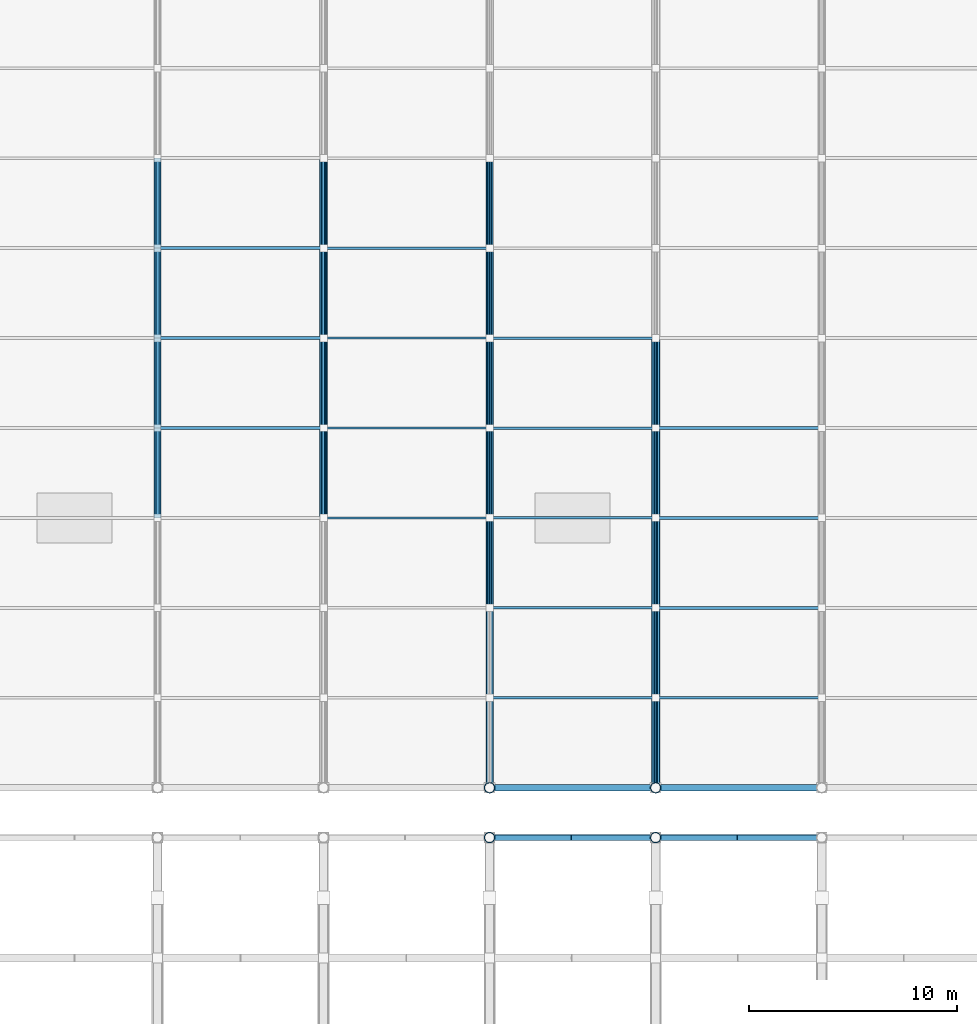
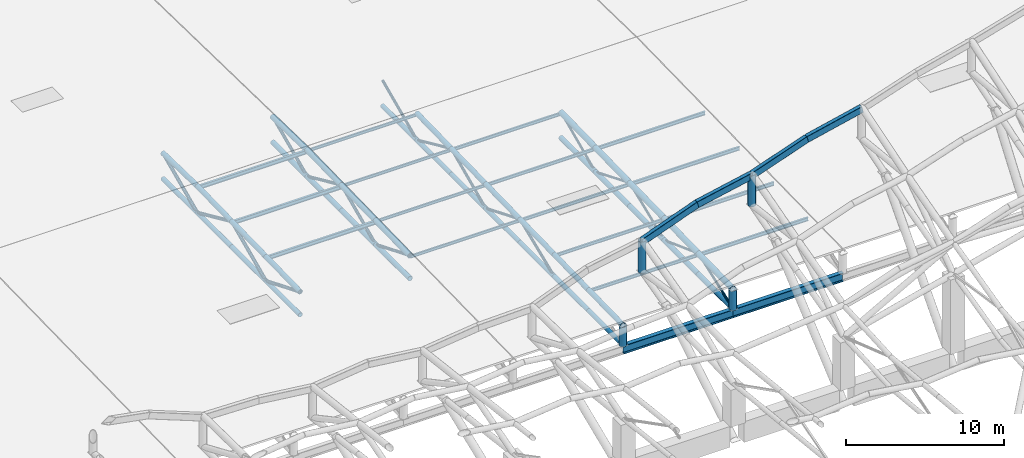
# One storey, part 20 of 75: 77 members, 6 beams.
"""IFC4 building model written with IfcOpenShell, lengths in metres."""

from ifc_helpers import new_model, si_unit, direction, frame, origin, origin_2d, place, context, subcontext, project, spatial, hollow_rectangle, hollow_circle, i_section, extrude, material, material_profile, profile_set, type_object, element, save


model = new_model("IFC4")

# Units and contexts
model_context = context("Model", 3, precision=1e-05, world=origin(), true_north=direction((0.0, 1.0)))
body_context = subcontext(model_context, "Body", "Model", "MODEL_VIEW")
ifc_project = project(units=[si_unit("LENGTHUNIT", "METRE"), si_unit("AREAUNIT", "SQUARE_METRE"), si_unit("VOLUMEUNIT", "CUBIC_METRE"), si_unit("PLANEANGLEUNIT", "RADIAN"), si_unit("MASSUNIT", "GRAM", prefix="KILO")], contexts=[model_context])

# Site, building, storey
site_placement = place(None, origin())
site = spatial("IfcSite", under=ifc_project, at=site_placement, CompositionType="ELEMENT")
building_placement = place(site_placement, origin())
building = spatial("IfcBuilding", under=site, at=building_placement, Name="Khorjan Park Terminus", CompositionType="ELEMENT")
storey_placement = place(building_placement, frame((0.0, 0.0, 16.2)))
storey = spatial("IfcBuildingStorey", under=building, at=storey_placement, Name="L03", CompositionType="ELEMENT", Elevation=16.2)

# Members
ifc_material = material(Name="Steel S355", Category="steel")
ifc_material_profile_1 = material_profile(ifc_material, hollow_circle(Radius=0.0842, WallThickness=0.008, at=origin_2d()), Name="CHS 168.3x8")
ifc_profile_set_1 = profile_set([ifc_material_profile_1], Name="Steel S355")
member_type_1 = type_object("IfcMemberType", Name="MB-BR-168", PredefinedType="BRACE", material=ifc_profile_set_1)
member_1_placement = place(storey_placement, frame((120.0, 102.0, -2.6), z_axis=(0.0, 0.938678487602, 0.344793701963), x_axis=(-1.0, 0.0, 0.0)))
element("IfcMember", 1, at=member_1_placement, inside=storey, type_object=member_type_1, Name="Train shed flat truss web diagonal TB-17 (T15)", PredefinedType="BRACE", context=body_context, shape_type="SweptSolid", body=[
    extrude(hollow_circle(Radius=0.0842, WallThickness=0.008, at=origin_2d()), origin(), (0.0, 0.0, 1.0), 4.6164),
])
member_2_placement = place(storey_placement, frame((120.0, 106.3333, -1.0083), z_axis=(0.0, 0.938681062758, -0.344786691187), x_axis=(-1.0, 0.0, 0.0)))
element("IfcMember", 2, at=member_2_placement, inside=storey, type_object=member_type_1, Name="Train shed flat truss web diagonal TB-17 (T15)", PredefinedType="BRACE", context=body_context, shape_type="SweptSolid", body=[
    extrude(hollow_circle(Radius=0.0842, WallThickness=0.008, at=origin_2d()), origin(), (0.0, 0.0, 1.0), 4.6165),
])
for number, where, z_axis, x_axis, name in (
    (3, (120.0, 110.6667, -2.6), (0.0, 0.92537575721, 0.379051062481), (-1.0, 0.0, 0.0), "Train shed flat truss web diagonal TB-17 (T15)"),
    (4, (120.0, 115.0, -0.825), (0.0, 0.92537575721, -0.379051062481), (-1.0, 0.0, 0.0), "Train shed flat truss web diagonal TB-17 (T15)"),
):
    element("IfcMember", number, at=place(storey_placement, frame(where, z_axis=z_axis, x_axis=x_axis)), inside=storey, type_object=member_type_1, Name=name, PredefinedType="BRACE", context=body_context, shape_type="SweptSolid", body=[
        extrude(hollow_circle(Radius=0.0842, WallThickness=0.008, at=origin_2d()), origin(), (0.0, 0.0, 1.0), 4.6827),
    ])
member_3_placement = place(storey_placement, frame((120.0, 119.3333, -2.6), z_axis=(0.0, 0.911269553162, 0.411810395061), x_axis=(-1.0, 0.0, 0.0)))
element("IfcMember", 5, at=member_3_placement, inside=storey, type_object=member_type_1, Name="Train shed flat truss web diagonal TB-17 (T15)", PredefinedType="BRACE", context=body_context, shape_type="SweptSolid", body=[
    extrude(hollow_circle(Radius=0.0842, WallThickness=0.008, at=origin_2d()), origin(), (0.0, 0.0, 1.0), 4.7553),
])
ifc_material_profile_2 = material_profile(ifc_material, hollow_circle(Radius=0.0969, WallThickness=0.01, at=origin_2d()), Name="CHS 193.7x10")
ifc_profile_set_2 = profile_set([ifc_material_profile_2], Name="Steel S355")
member_type_2 = type_object("IfcMemberType", Name="MB-BR-194", PredefinedType="BRACE", material=ifc_profile_set_2)
for number, where, z_axis, x_axis, name in (
    (6, (112.0, 110.6667, -2.6), (0.0, 0.92537575721, 0.379051062481), (-1.0, 0.0, 0.0), "Train shed flat truss web diagonal TB-19 (T14)"),
    (7, (112.0, 115.0, -0.825), (0.0, 0.92537575721, -0.379051062481), (-1.0, 0.0, 0.0), "Train shed flat truss web diagonal TB-19 (T14)"),
):
    element("IfcMember", number, at=place(storey_placement, frame(where, z_axis=z_axis, x_axis=x_axis)), inside=storey, type_object=member_type_2, Name=name, PredefinedType="BRACE", context=body_context, shape_type="SweptSolid", body=[
        extrude(hollow_circle(Radius=0.0969, WallThickness=0.01, at=origin_2d()), origin(), (0.0, 0.0, 1.0), 4.6827),
    ])
for number, where, z_axis, x_axis, name in (
    (8, (112.0, 119.3333, -2.6), (0.0, 0.911269553162, 0.411810395061), (-1.0, 0.0, 0.0), "Train shed flat truss web diagonal TB-19 (T14)"),
    (9, (112.0, 123.6667, -0.6417), (0.0, 0.911265986802, -0.411818286745), (-1.0, 0.0, 0.0), "Train shed flat truss web diagonal TB-19 (T14)"),
    (10, (112.0, 128.0, -2.6), (0.0, 0.911265986802, 0.411818286745), (-1.0, 0.0, 0.0), "Train shed flat truss web diagonal TB-19 (T14)"),
):
    element("IfcMember", number, at=place(storey_placement, frame(where, z_axis=z_axis, x_axis=x_axis)), inside=storey, type_object=member_type_2, Name=name, PredefinedType="BRACE", context=body_context, shape_type="SweptSolid", body=[
        extrude(hollow_circle(Radius=0.0969, WallThickness=0.01, at=origin_2d()), origin(), (0.0, 0.0, 1.0), 4.7553),
    ])
ifc_material_profile_3 = material_profile(ifc_material, hollow_circle(Radius=0.1095, WallThickness=0.01, at=origin_2d()), Name="CHS 219.1x10")
ifc_profile_set_3 = profile_set([ifc_material_profile_3], Name="Steel S355")
member_type_3 = type_object("IfcMemberType", Name="MB-BR-219", PredefinedType="BRACE", material=ifc_profile_set_3)
member_4_placement = place(storey_placement, frame((104.0, 115.0, -0.825), z_axis=(0.0, 0.92537575721, -0.379051062481), x_axis=(-1.0, 0.0, 0.0)))
element("IfcMember", 11, at=member_4_placement, inside=storey, type_object=member_type_3, Name="Train shed flat truss web diagonal TB-22 (T13)", PredefinedType="BRACE", context=body_context, shape_type="SweptSolid", body=[
    extrude(hollow_circle(Radius=0.1095, WallThickness=0.01, at=origin_2d()), origin(), (0.0, 0.0, 1.0), 4.6827),
])
for number, where, z_axis, x_axis, name in (
    (12, (104.0, 119.3333, -2.6), (0.0, 0.911269553162, 0.411810395061), (-1.0, 0.0, 0.0), "Train shed flat truss web diagonal TB-22 (T13)"),
    (13, (104.0, 123.6667, -0.6417), (0.0, 0.911265986802, -0.411818286745), (-1.0, 0.0, 0.0), "Train shed flat truss web diagonal TB-22 (T13)"),
    (14, (104.0, 128.0, -2.6), (0.0, 0.911265986802, 0.411818286745), (-1.0, 0.0, 0.0), "Train shed flat truss web diagonal TB-22 (T13)"),
):
    element("IfcMember", number, at=place(storey_placement, frame(where, z_axis=z_axis, x_axis=x_axis)), inside=storey, type_object=member_type_3, Name=name, PredefinedType="BRACE", context=body_context, shape_type="SweptSolid", body=[
        extrude(hollow_circle(Radius=0.1095, WallThickness=0.01, at=origin_2d()), origin(), (0.0, 0.0, 1.0), 4.7553),
    ])
ifc_material_profile_4 = material_profile(ifc_material, hollow_circle(Radius=0.1222, WallThickness=0.0125, at=origin_2d()), Name="CHS 244.5x12.5")
ifc_profile_set_4 = profile_set([ifc_material_profile_4], Name="Steel S355")
member_type_4 = type_object("IfcMemberType", Name="MB-BR-245", PredefinedType="BRACE", material=ifc_profile_set_4)
member_5_placement = place(storey_placement, frame((96.0, 115.0, -0.825), z_axis=(0.0, 0.92537575721, -0.379051062481), x_axis=(-1.0, 0.0, 0.0)))
element("IfcMember", 15, at=member_5_placement, inside=storey, type_object=member_type_4, Name="Train shed flat truss web diagonal TB-24 (T12)", PredefinedType="BRACE", context=body_context, shape_type="SweptSolid", body=[
    extrude(hollow_circle(Radius=0.1222, WallThickness=0.0125, at=origin_2d()), origin(), (0.0, 0.0, 1.0), 4.6827),
])
for number, where, z_axis, x_axis, name in (
    (16, (96.0, 119.3333, -2.6), (0.0, 0.911269553162, 0.411810395061), (-1.0, 0.0, 0.0), "Train shed flat truss web diagonal TB-24 (T12)"),
    (17, (96.0, 123.6667, -0.6417), (0.0, 0.911265986802, -0.411818286745), (-1.0, 0.0, 0.0), "Train shed flat truss web diagonal TB-24 (T12)"),
    (18, (96.0, 128.0, -2.6), (0.0, 0.911265986802, 0.411818286745), (-1.0, 0.0, 0.0), "Train shed flat truss web diagonal TB-24 (T12)"),
):
    element("IfcMember", number, at=place(storey_placement, frame(where, z_axis=z_axis, x_axis=x_axis)), inside=storey, type_object=member_type_4, Name=name, PredefinedType="BRACE", context=body_context, shape_type="SweptSolid", body=[
        extrude(hollow_circle(Radius=0.1222, WallThickness=0.0125, at=origin_2d()), origin(), (0.0, 0.0, 1.0), 4.7553),
    ])
ifc_material_profile_5 = material_profile(ifc_material, hollow_circle(Radius=0.162, WallThickness=0.0125, at=origin_2d()), Name="CHS 323.9x12.5")
ifc_profile_set_5 = profile_set([ifc_material_profile_5], Name="Steel S355")
member_type_5 = type_object("IfcMemberType", Name="MB-CH-324", PredefinedType="CHORD", material=ifc_profile_set_5)
member_6_placement = place(storey_placement, frame((96.0, 115.0, -2.6), z_axis=(0.0, 1.0, 0.0), x_axis=(-1.0, 0.0, 0.0)))
element("IfcMember", 19, at=member_6_placement, inside=storey, type_object=member_type_5, Name="Train shed flat truss bottom chord TC-32 (T12)", PredefinedType="CHORD", context=body_context, shape_type="SweptSolid", body=[
    extrude(hollow_circle(Radius=0.162, WallThickness=0.0125, at=origin_2d()), origin(), (0.0, 0.0, 1.0), 4.3333),
])
member_7_placement = place(storey_placement, frame((96.0, 119.3333, -2.6), z_axis=(0.0, 1.0, 0.0), x_axis=(-1.0, 0.0, 0.0)))
element("IfcMember", 20, at=member_7_placement, inside=storey, type_object=member_type_5, Name="Train shed flat truss bottom chord TC-32 (T12)", PredefinedType="CHORD", context=body_context, shape_type="SweptSolid", body=[
    extrude(hollow_circle(Radius=0.162, WallThickness=0.0125, at=origin_2d()), origin(), (0.0, 0.0, 1.0), 4.3334),
])
for number, where, z_axis, x_axis, name in (
    (21, (96.0, 123.6667, -2.6), (0.0, 1.0, 0.0), (-1.0, 0.0, 0.0), "Train shed flat truss bottom chord TC-32 (T12)"),
    (22, (96.0, 128.0, -2.6), (0.0, 1.0, 0.0), (-1.0, 0.0, 0.0), "Train shed flat truss bottom chord TC-32 (T12)"),
    (23, (112.0, 102.0, -2.6), (0.0, 1.0, 0.0), (-1.0, 0.0, 0.0), "Train shed flat truss bottom chord TC-32 (T14)"),
):
    element("IfcMember", number, at=place(storey_placement, frame(where, z_axis=z_axis, x_axis=x_axis)), inside=storey, type_object=member_type_5, Name=name, PredefinedType="CHORD", context=body_context, shape_type="SweptSolid", body=[
        extrude(hollow_circle(Radius=0.162, WallThickness=0.0125, at=origin_2d()), origin(), (0.0, 0.0, 1.0), 4.3333),
    ])
member_8_placement = place(storey_placement, frame((112.0, 106.3333, -2.6), z_axis=(0.0, 1.0, 0.0), x_axis=(-1.0, 0.0, 0.0)))
element("IfcMember", 24, at=member_8_placement, inside=storey, type_object=member_type_5, Name="Train shed flat truss bottom chord TC-32 (T14)", PredefinedType="CHORD", context=body_context, shape_type="SweptSolid", body=[
    extrude(hollow_circle(Radius=0.162, WallThickness=0.0125, at=origin_2d()), origin(), (0.0, 0.0, 1.0), 4.3334),
])
for number, where, z_axis, x_axis, name in (
    (25, (112.0, 110.6667, -2.6), (0.0, 1.0, 0.0), (-1.0, 0.0, 0.0), "Train shed flat truss bottom chord TC-32 (T14)"),
    (26, (112.0, 115.0, -2.6), (0.0, 1.0, 0.0), (-1.0, 0.0, 0.0), "Train shed flat truss bottom chord TC-32 (T14)"),
):
    element("IfcMember", number, at=place(storey_placement, frame(where, z_axis=z_axis, x_axis=x_axis)), inside=storey, type_object=member_type_5, Name=name, PredefinedType="CHORD", context=body_context, shape_type="SweptSolid", body=[
        extrude(hollow_circle(Radius=0.162, WallThickness=0.0125, at=origin_2d()), origin(), (0.0, 0.0, 1.0), 4.3333),
    ])
member_9_placement = place(storey_placement, frame((112.0, 119.3333, -2.6), z_axis=(0.0, 1.0, 0.0), x_axis=(-1.0, 0.0, 0.0)))
element("IfcMember", 27, at=member_9_placement, inside=storey, type_object=member_type_5, Name="Train shed flat truss bottom chord TC-32 (T14)", PredefinedType="CHORD", context=body_context, shape_type="SweptSolid", body=[
    extrude(hollow_circle(Radius=0.162, WallThickness=0.0125, at=origin_2d()), origin(), (0.0, 0.0, 1.0), 4.3334),
])
for number, where, z_axis, x_axis, name in (
    (28, (112.0, 123.6667, -2.6), (0.0, 1.0, 0.0), (-1.0, 0.0, 0.0), "Train shed flat truss bottom chord TC-32 (T14)"),
    (29, (112.0, 128.0, -2.6), (0.0, 1.0, 0.0), (-1.0, 0.0, 0.0), "Train shed flat truss bottom chord TC-32 (T14)"),
):
    element("IfcMember", number, at=place(storey_placement, frame(where, z_axis=z_axis, x_axis=x_axis)), inside=storey, type_object=member_type_5, Name=name, PredefinedType="CHORD", context=body_context, shape_type="SweptSolid", body=[
        extrude(hollow_circle(Radius=0.162, WallThickness=0.0125, at=origin_2d()), origin(), (0.0, 0.0, 1.0), 4.3333),
    ])
ifc_material_profile_6 = material_profile(ifc_material, hollow_circle(Radius=0.1778, WallThickness=0.016, at=origin_2d()), Name="CHS 355.6x16")
ifc_profile_set_6 = profile_set([ifc_material_profile_6], Name="Steel S355")
member_type_6 = type_object("IfcMemberType", Name="MB-CH-356", PredefinedType="CHORD", material=ifc_profile_set_6)
member_10_placement = place(storey_placement, frame((96.0, 115.0, -0.825), z_axis=(0.0, 0.999776166375, 0.021156964544), x_axis=(-1.0, 0.0, 0.0)))
element("IfcMember", 30, at=member_10_placement, inside=storey, type_object=member_type_6, Name="Train shed flat truss top chord TC-36 (T12)", PredefinedType="CHORD", context=body_context, shape_type="SweptSolid", body=[
    extrude(hollow_circle(Radius=0.1778, WallThickness=0.016, at=origin_2d()), origin(), (0.0, 0.0, 1.0), 4.3343),
])
member_11_placement = place(storey_placement, frame((96.0, 119.3333, -0.7333), z_axis=(0.0, 0.999776664437, 0.021133415439), x_axis=(-1.0, 0.0, 0.0)))
element("IfcMember", 31, at=member_11_placement, inside=storey, type_object=member_type_6, Name="Train shed flat truss top chord TC-36 (T12)", PredefinedType="CHORD", context=body_context, shape_type="SweptSolid", body=[
    extrude(hollow_circle(Radius=0.1778, WallThickness=0.016, at=origin_2d()), origin(), (0.0, 0.0, 1.0), 4.3344),
])
for number, where, z_axis, x_axis, name in (
    (32, (96.0, 123.6667, -0.6417), (0.0, 0.999776166375, 0.021156964544), (-1.0, 0.0, 0.0), "Train shed flat truss top chord TC-36 (T12)"),
    (33, (96.0, 128.0, -0.55), (0.0, 0.999776166375, -0.021156964544), (-1.0, 0.0, 0.0), "Train shed flat truss top chord TC-36 (T12)"),
):
    element("IfcMember", number, at=place(storey_placement, frame(where, z_axis=z_axis, x_axis=x_axis)), inside=storey, type_object=member_type_6, Name=name, PredefinedType="CHORD", context=body_context, shape_type="SweptSolid", body=[
        extrude(hollow_circle(Radius=0.1778, WallThickness=0.016, at=origin_2d()), origin(), (0.0, 0.0, 1.0), 4.3343),
    ])
member_12_placement = place(storey_placement, frame((104.0, 115.0, -2.6), z_axis=(0.0, 1.0, 0.0), x_axis=(-1.0, 0.0, 0.0)))
element("IfcMember", 34, at=member_12_placement, inside=storey, type_object=member_type_6, Name="Train shed flat truss bottom chord TC-36 (T13)", PredefinedType="CHORD", context=body_context, shape_type="SweptSolid", body=[
    extrude(hollow_circle(Radius=0.1778, WallThickness=0.016, at=origin_2d()), origin(), (0.0, 0.0, 1.0), 4.3333),
])
member_13_placement = place(storey_placement, frame((104.0, 119.3333, -2.6), z_axis=(0.0, 1.0, 0.0), x_axis=(-1.0, 0.0, 0.0)))
element("IfcMember", 35, at=member_13_placement, inside=storey, type_object=member_type_6, Name="Train shed flat truss bottom chord TC-36 (T13)", PredefinedType="CHORD", context=body_context, shape_type="SweptSolid", body=[
    extrude(hollow_circle(Radius=0.1778, WallThickness=0.016, at=origin_2d()), origin(), (0.0, 0.0, 1.0), 4.3334),
])
for number, where, z_axis, x_axis, name in (
    (36, (104.0, 123.6667, -2.6), (0.0, 1.0, 0.0), (-1.0, 0.0, 0.0), "Train shed flat truss bottom chord TC-36 (T13)"),
    (37, (104.0, 128.0, -2.6), (0.0, 1.0, 0.0), (-1.0, 0.0, 0.0), "Train shed flat truss bottom chord TC-36 (T13)"),
):
    element("IfcMember", number, at=place(storey_placement, frame(where, z_axis=z_axis, x_axis=x_axis)), inside=storey, type_object=member_type_6, Name=name, PredefinedType="CHORD", context=body_context, shape_type="SweptSolid", body=[
        extrude(hollow_circle(Radius=0.1778, WallThickness=0.016, at=origin_2d()), origin(), (0.0, 0.0, 1.0), 4.3333),
    ])
member_14_placement = place(storey_placement, frame((112.0, 102.0, -1.1), z_axis=(0.0, 0.999776166375, 0.021156964544), x_axis=(-1.0, 0.0, 0.0)))
element("IfcMember", 38, at=member_14_placement, inside=storey, type_object=member_type_6, Name="Train shed flat truss top chord TC-36 (T14)", PredefinedType="CHORD", context=body_context, shape_type="SweptSolid", body=[
    extrude(hollow_circle(Radius=0.1778, WallThickness=0.016, at=origin_2d()), origin(), (0.0, 0.0, 1.0), 4.3343),
])
member_15_placement = place(storey_placement, frame((112.0, 106.3333, -1.0083), z_axis=(0.0, 0.999776664437, 0.021133415439), x_axis=(-1.0, 0.0, 0.0)))
element("IfcMember", 39, at=member_15_placement, inside=storey, type_object=member_type_6, Name="Train shed flat truss top chord TC-36 (T14)", PredefinedType="CHORD", context=body_context, shape_type="SweptSolid", body=[
    extrude(hollow_circle(Radius=0.1778, WallThickness=0.016, at=origin_2d()), origin(), (0.0, 0.0, 1.0), 4.3344),
])
for number, where, z_axis, x_axis, name in (
    (40, (112.0, 110.6667, -0.9167), (0.0, 0.999776166375, 0.021156964544), (-1.0, 0.0, 0.0), "Train shed flat truss top chord TC-36 (T14)"),
    (41, (112.0, 115.0, -0.825), (0.0, 0.999776166375, 0.021156964544), (-1.0, 0.0, 0.0), "Train shed flat truss top chord TC-36 (T14)"),
):
    element("IfcMember", number, at=place(storey_placement, frame(where, z_axis=z_axis, x_axis=x_axis)), inside=storey, type_object=member_type_6, Name=name, PredefinedType="CHORD", context=body_context, shape_type="SweptSolid", body=[
        extrude(hollow_circle(Radius=0.1778, WallThickness=0.016, at=origin_2d()), origin(), (0.0, 0.0, 1.0), 4.3343),
    ])
member_16_placement = place(storey_placement, frame((112.0, 119.3333, -0.7333), z_axis=(0.0, 0.999776664437, 0.021133415439), x_axis=(-1.0, 0.0, 0.0)))
element("IfcMember", 42, at=member_16_placement, inside=storey, type_object=member_type_6, Name="Train shed flat truss top chord TC-36 (T14)", PredefinedType="CHORD", context=body_context, shape_type="SweptSolid", body=[
    extrude(hollow_circle(Radius=0.1778, WallThickness=0.016, at=origin_2d()), origin(), (0.0, 0.0, 1.0), 4.3344),
])
member_17_placement = place(storey_placement, frame((112.0, 123.6667, -0.6417), z_axis=(0.0, 0.999776166375, 0.021156964544), x_axis=(-1.0, 0.0, 0.0)))
element("IfcMember", 43, at=member_17_placement, inside=storey, type_object=member_type_6, Name="Train shed flat truss top chord TC-36 (T14)", PredefinedType="CHORD", context=body_context, shape_type="SweptSolid", body=[
    extrude(hollow_circle(Radius=0.1778, WallThickness=0.016, at=origin_2d()), origin(), (0.0, 0.0, 1.0), 4.3343),
])
member_18_placement = place(storey_placement, frame((120.0, 102.0, -2.6), z_axis=(0.0, 1.0, 0.0), x_axis=(-1.0, 0.0, 0.0)))
element("IfcMember", 44, at=member_18_placement, inside=storey, type_object=member_type_6, Name="Train shed flat truss bottom chord TC-36 (T15)", PredefinedType="CHORD", context=body_context, shape_type="SweptSolid", body=[
    extrude(hollow_circle(Radius=0.1778, WallThickness=0.016, at=origin_2d()), origin(), (0.0, 0.0, 1.0), 4.3333),
])
member_19_placement = place(storey_placement, frame((120.0, 106.3333, -2.6), z_axis=(0.0, 1.0, 0.0), x_axis=(-1.0, 0.0, 0.0)))
element("IfcMember", 45, at=member_19_placement, inside=storey, type_object=member_type_6, Name="Train shed flat truss bottom chord TC-36 (T15)", PredefinedType="CHORD", context=body_context, shape_type="SweptSolid", body=[
    extrude(hollow_circle(Radius=0.1778, WallThickness=0.016, at=origin_2d()), origin(), (0.0, 0.0, 1.0), 4.3334),
])
for number, where, z_axis, x_axis, name in (
    (46, (120.0, 110.6667, -2.6), (0.0, 1.0, 0.0), (-1.0, 0.0, 0.0), "Train shed flat truss bottom chord TC-36 (T15)"),
    (47, (120.0, 115.0, -2.6), (0.0, 1.0, 0.0), (-1.0, 0.0, 0.0), "Train shed flat truss bottom chord TC-36 (T15)"),
):
    element("IfcMember", number, at=place(storey_placement, frame(where, z_axis=z_axis, x_axis=x_axis)), inside=storey, type_object=member_type_6, Name=name, PredefinedType="CHORD", context=body_context, shape_type="SweptSolid", body=[
        extrude(hollow_circle(Radius=0.1778, WallThickness=0.016, at=origin_2d()), origin(), (0.0, 0.0, 1.0), 4.3333),
    ])
member_20_placement = place(storey_placement, frame((120.0, 119.3333, -2.6), z_axis=(0.0, 1.0, 0.0), x_axis=(-1.0, 0.0, 0.0)))
element("IfcMember", 48, at=member_20_placement, inside=storey, type_object=member_type_6, Name="Train shed flat truss bottom chord TC-36 (T15)", PredefinedType="CHORD", context=body_context, shape_type="SweptSolid", body=[
    extrude(hollow_circle(Radius=0.1778, WallThickness=0.016, at=origin_2d()), origin(), (0.0, 0.0, 1.0), 4.3334),
])
ifc_material_profile_7 = material_profile(ifc_material, hollow_circle(Radius=0.2032, WallThickness=0.016, at=origin_2d()), Name="CHS 406.4x16")
ifc_profile_set_7 = profile_set([ifc_material_profile_7], Name="Steel S355")
member_type_7 = type_object("IfcMemberType", Name="MB-CH-406", PredefinedType="CHORD", material=ifc_profile_set_7)
member_21_placement = place(storey_placement, frame((104.0, 115.0, -0.825), z_axis=(0.0, 0.999776166375, 0.021156964544), x_axis=(-1.0, 0.0, 0.0)))
element("IfcMember", 49, at=member_21_placement, inside=storey, type_object=member_type_7, Name="Train shed flat truss top chord TC-41 (T13)", PredefinedType="CHORD", context=body_context, shape_type="SweptSolid", body=[
    extrude(hollow_circle(Radius=0.2032, WallThickness=0.016, at=origin_2d()), origin(), (0.0, 0.0, 1.0), 4.3343),
])
member_22_placement = place(storey_placement, frame((104.0, 119.3333, -0.7333), z_axis=(0.0, 0.999776664437, 0.021133415439), x_axis=(-1.0, 0.0, 0.0)))
element("IfcMember", 50, at=member_22_placement, inside=storey, type_object=member_type_7, Name="Train shed flat truss top chord TC-41 (T13)", PredefinedType="CHORD", context=body_context, shape_type="SweptSolid", body=[
    extrude(hollow_circle(Radius=0.2032, WallThickness=0.016, at=origin_2d()), origin(), (0.0, 0.0, 1.0), 4.3344),
])
for number, where, z_axis, x_axis, name in (
    (51, (104.0, 123.6667, -0.6417), (0.0, 0.999776166375, 0.021156964544), (-1.0, 0.0, 0.0), "Train shed flat truss top chord TC-41 (T13)"),
    (52, (104.0, 128.0, -0.55), (0.0, 0.999776166375, -0.021156964544), (-1.0, 0.0, 0.0), "Train shed flat truss top chord TC-41 (T13)"),
    (53, (120.0, 102.0, -1.1), (0.0, 0.999776166375, 0.021156964544), (-1.0, 0.0, 0.0), "Train shed flat truss top chord TC-41 (T15)"),
):
    element("IfcMember", number, at=place(storey_placement, frame(where, z_axis=z_axis, x_axis=x_axis)), inside=storey, type_object=member_type_7, Name=name, PredefinedType="CHORD", context=body_context, shape_type="SweptSolid", body=[
        extrude(hollow_circle(Radius=0.2032, WallThickness=0.016, at=origin_2d()), origin(), (0.0, 0.0, 1.0), 4.3343),
    ])
member_23_placement = place(storey_placement, frame((120.0, 106.3333, -1.0083), z_axis=(0.0, 0.999776664437, 0.021133415439), x_axis=(-1.0, 0.0, 0.0)))
element("IfcMember", 54, at=member_23_placement, inside=storey, type_object=member_type_7, Name="Train shed flat truss top chord TC-41 (T15)", PredefinedType="CHORD", context=body_context, shape_type="SweptSolid", body=[
    extrude(hollow_circle(Radius=0.2032, WallThickness=0.016, at=origin_2d()), origin(), (0.0, 0.0, 1.0), 4.3344),
])
for number, where, z_axis, x_axis, name in (
    (55, (120.0, 110.6667, -0.9167), (0.0, 0.999776166375, 0.021156964544), (-1.0, 0.0, 0.0), "Train shed flat truss top chord TC-41 (T15)"),
    (56, (120.0, 115.0, -0.825), (0.0, 0.999776166375, 0.021156964544), (-1.0, 0.0, 0.0), "Train shed flat truss top chord TC-41 (T15)"),
):
    element("IfcMember", number, at=place(storey_placement, frame(where, z_axis=z_axis, x_axis=x_axis)), inside=storey, type_object=member_type_7, Name=name, PredefinedType="CHORD", context=body_context, shape_type="SweptSolid", body=[
        extrude(hollow_circle(Radius=0.2032, WallThickness=0.016, at=origin_2d()), origin(), (0.0, 0.0, 1.0), 4.3343),
    ])
member_24_placement = place(storey_placement, frame((120.0, 119.3333, -0.7333), z_axis=(0.0, 0.999776664437, 0.021133415439), x_axis=(-1.0, 0.0, 0.0)))
element("IfcMember", 57, at=member_24_placement, inside=storey, type_object=member_type_7, Name="Train shed flat truss top chord TC-41 (T15)", PredefinedType="CHORD", context=body_context, shape_type="SweptSolid", body=[
    extrude(hollow_circle(Radius=0.2032, WallThickness=0.016, at=origin_2d()), origin(), (0.0, 0.0, 1.0), 4.3344),
])
ifc_material_profile_8 = material_profile(ifc_material, i_section(OverallWidth=0.11, OverallDepth=0.22, WebThickness=0.0059, FlangeThickness=0.0092, FilletRadius=0.012, at=origin_2d()), Name="IPE 220")
ifc_profile_set_8 = profile_set([ifc_material_profile_8], Name="Steel S355")
member_type_8 = type_object("IfcMemberType", Name="MB-PR-IPE220", PredefinedType="PURLIN", material=ifc_profile_set_8)
for number, where, z_axis, x_axis, name in (
    (58, (104.0, 115.0, -0.915), (1.0, 0.0, 0.0), (0.0, 1.0, 0.0), "Train shed secondary roof purlin PR-22 (Bay 13)"),
    (59, (104.0, 119.3333, -0.8233), (1.0, 0.0, 0.0), (0.0, 1.0, 0.0), "Train shed secondary roof purlin PR-22 (Bay 13)"),
    (60, (104.0, 123.6667, -0.7317), (1.0, 0.0, 0.0), (0.0, 1.0, 0.0), "Train shed secondary roof purlin PR-22 (Bay 13)"),
    (61, (104.0, 128.0, -0.64), (1.0, 0.0, 0.0), (0.0, 1.0, 0.0), "Train shed secondary roof purlin PR-22 (Bay 13)"),
):
    element("IfcMember", number, at=place(storey_placement, frame(where, z_axis=z_axis, x_axis=x_axis)), inside=storey, type_object=member_type_8, Name=name, PredefinedType="PURLIN", context=body_context, shape_type="SweptSolid", body=[
        extrude(i_section(OverallWidth=0.11, OverallDepth=0.22, WebThickness=0.0059, FlangeThickness=0.0092, FilletRadius=0.012, at=origin_2d()), origin(), (0.0, 0.0, 1.0), 8.0),
    ])
ifc_material_profile_9 = material_profile(ifc_material, i_section(OverallWidth=0.12, OverallDepth=0.24, WebThickness=0.0062, FlangeThickness=0.0098, FilletRadius=0.015, at=origin_2d()), Name="IPE 240")
ifc_profile_set_9 = profile_set([ifc_material_profile_9], Name="Steel S355")
member_type_9 = type_object("IfcMemberType", Name="MB-PR-IPE240", PredefinedType="PURLIN", material=ifc_profile_set_9)
for number, where, z_axis, x_axis, name in (
    (62, (112.0, 106.3333, -1.1083), (1.0, 0.0, 0.0), (0.0, 1.0, 0.0), "Train shed secondary roof purlin PR-24 (Bay 14)"),
    (63, (112.0, 110.6667, -1.0167), (1.0, 0.0, 0.0), (0.0, 1.0, 0.0), "Train shed secondary roof purlin PR-24 (Bay 14)"),
    (64, (112.0, 115.0, -0.925), (1.0, 0.0, 0.0), (0.0, 1.0, 0.0), "Train shed secondary roof purlin PR-24 (Bay 14)"),
    (65, (112.0, 119.3333, -0.8333), (1.0, 0.0, 0.0), (0.0, 1.0, 0.0), "Train shed secondary roof purlin PR-24 (Bay 14)"),
    (66, (112.0, 123.6667, -0.7417), (1.0, 0.0, 0.0), (0.0, 1.0, 0.0), "Train shed secondary roof purlin PR-24 (Bay 14)"),
):
    element("IfcMember", number, at=place(storey_placement, frame(where, z_axis=z_axis, x_axis=x_axis)), inside=storey, type_object=member_type_9, Name=name, PredefinedType="PURLIN", context=body_context, shape_type="SweptSolid", body=[
        extrude(i_section(OverallWidth=0.12, OverallDepth=0.24, WebThickness=0.0062, FlangeThickness=0.0098, FilletRadius=0.015, at=origin_2d()), origin(), (0.0, 0.0, 1.0), 8.0),
    ])
ifc_material_profile_10 = material_profile(ifc_material, i_section(OverallWidth=0.135, OverallDepth=0.27, WebThickness=0.0066, FlangeThickness=0.0102, FilletRadius=0.015, at=origin_2d()), Name="IPE 270")
ifc_profile_set_10 = profile_set([ifc_material_profile_10], Name="Steel S355")
member_type_10 = type_object("IfcMemberType", Name="MB-PR-IPE270", PredefinedType="PURLIN", material=ifc_profile_set_10)
for number, where, z_axis, x_axis, name in (
    (67, (120.0, 106.3333, -1.1233), (1.0, 0.0, 0.0), (0.0, 1.0, 0.0), "Train shed secondary roof purlin PR-27 (Bay 15)"),
    (68, (120.0, 110.6667, -1.0317), (1.0, 0.0, 0.0), (0.0, 1.0, 0.0), "Train shed secondary roof purlin PR-27 (Bay 15)"),
    (69, (120.0, 115.0, -0.94), (1.0, 0.0, 0.0), (0.0, 1.0, 0.0), "Train shed secondary roof purlin PR-27 (Bay 15)"),
    (70, (120.0, 119.3333, -0.8483), (1.0, 0.0, 0.0), (0.0, 1.0, 0.0), "Train shed secondary roof purlin PR-27 (Bay 15)"),
):
    element("IfcMember", number, at=place(storey_placement, frame(where, z_axis=z_axis, x_axis=x_axis)), inside=storey, type_object=member_type_10, Name=name, PredefinedType="PURLIN", context=body_context, shape_type="SweptSolid", body=[
        extrude(i_section(OverallWidth=0.135, OverallDepth=0.27, WebThickness=0.0066, FlangeThickness=0.0102, FilletRadius=0.015, at=origin_2d()), origin(), (0.0, 0.0, 1.0), 8.0),
    ])
ifc_material_profile_11 = material_profile(ifc_material, i_section(OverallWidth=0.15, OverallDepth=0.3, WebThickness=0.0071, FlangeThickness=0.0107, FilletRadius=0.015, at=origin_2d()), Name="IPE 300")
ifc_profile_set_11 = profile_set([ifc_material_profile_11], Name="Steel S355")
member_type_11 = type_object("IfcMemberType", Name="MB-PR-IPE300", PredefinedType="PURLIN", material=ifc_profile_set_11)
for number, where, z_axis, x_axis, name in (
    (71, (96.0, 119.3333, -0.8633), (1.0, 0.0, 0.0), (0.0, 1.0, 0.0), "Train shed secondary roof purlin PR-30 (Bay 12)"),
    (72, (96.0, 123.6667, -0.7717), (1.0, 0.0, 0.0), (0.0, 1.0, 0.0), "Train shed secondary roof purlin PR-30 (Bay 12)"),
    (73, (96.0, 128.0, -0.68), (1.0, 0.0, 0.0), (0.0, 1.0, 0.0), "Train shed secondary roof purlin PR-30 (Bay 12)"),
):
    element("IfcMember", number, at=place(storey_placement, frame(where, z_axis=z_axis, x_axis=x_axis)), inside=storey, type_object=member_type_11, Name=name, PredefinedType="PURLIN", context=body_context, shape_type="SweptSolid", body=[
        extrude(i_section(OverallWidth=0.15, OverallDepth=0.3, WebThickness=0.0071, FlangeThickness=0.0107, FilletRadius=0.015, at=origin_2d()), origin(), (0.0, 0.0, 1.0), 8.0),
    ])
ifc_material_profile_12 = material_profile(ifc_material, hollow_circle(Radius=0.254, WallThickness=0.02, at=origin_2d()), Name="CHS 508x20")
ifc_profile_set_12 = profile_set([ifc_material_profile_12], Name="Steel S355")
member_type_12 = type_object("IfcMemberType", Name="MB-STE-508", PredefinedType="STRUT", material=ifc_profile_set_12)
for number, where, z_axis, x_axis, name in (
    (74, (112.0, 102.0, -2.62), (0.0, 0.0, 1.0), (1.0, 0.0, 0.0), "Train shed flat truss end post STE-51 (T14-S)"),
    (75, (120.0, 102.0, -2.62), (0.0, 0.0, 1.0), (1.0, 0.0, 0.0), "Train shed flat truss end post STE-51 (T15-S)"),
):
    element("IfcMember", number, at=place(storey_placement, frame(where, z_axis=z_axis, x_axis=x_axis)), inside=storey, type_object=member_type_12, Name=name, PredefinedType="STRUT", context=body_context, shape_type="SweptSolid", body=[
        extrude(hollow_circle(Radius=0.254, WallThickness=0.02, at=origin_2d()), origin(), (0.0, 0.0, 1.0), 1.52),
    ])
for number, where, z_axis, x_axis, name in (
    (76, (112.0, 99.6, 4.5147), (0.0, 0.0, 1.0), (1.0, 0.0, 0.0), "Upper shell overhang tip post STE-51 (9N)"),
    (77, (120.0, 99.6, 6.8305), (0.0, 0.0, 1.0), (1.0, 0.0, 0.0), "Upper shell overhang tip post STE-51 (10N)"),
):
    element("IfcMember", number, at=place(storey_placement, frame(where, z_axis=z_axis, x_axis=x_axis)), inside=storey, type_object=member_type_12, Name=name, PredefinedType="STRUT", context=body_context, shape_type="SweptSolid", body=[
        extrude(hollow_circle(Radius=0.254, WallThickness=0.02, at=origin_2d()), origin(), (0.0, 0.0, 1.0), 2.4),
    ])

# Beams
ifc_material_profile_13 = material_profile(ifc_material, i_section(OverallWidth=0.3, OverallDepth=0.65, WebThickness=0.016, FlangeThickness=0.031, FilletRadius=0.027, at=origin_2d()), Name="HEB 650")
ifc_profile_set_13 = profile_set([ifc_material_profile_13], Name="Steel S355")
beam_type_1 = type_object("IfcBeamType", Name="SP-HEB650E", PredefinedType="SPANDREL", material=ifc_profile_set_13)
for number, where, z_axis, x_axis, name in (
    (78, (112.0, 102.0, -2.925), (1.0, 0.0, 0.0), (0.0, 1.0, 0.0), "Train shed horizontal eave fascia girder SP-E65 (S14)"),
    (79, (120.0, 102.0, -2.925), (1.0, 0.0, 0.0), (0.0, 1.0, 0.0), "Train shed horizontal eave fascia girder SP-E65 (S15)"),
):
    element("IfcBeam", number, at=place(storey_placement, frame(where, z_axis=z_axis, x_axis=x_axis)), inside=storey, type_object=beam_type_1, Name=name, PredefinedType="SPANDREL", context=body_context, shape_type="SweptSolid", body=[
        extrude(i_section(OverallWidth=0.3, OverallDepth=0.65, WebThickness=0.016, FlangeThickness=0.031, FilletRadius=0.027, at=origin_2d()), origin(), (0.0, 0.0, 1.0), 8.0),
    ])
ifc_material_profile_14 = material_profile(ifc_material, hollow_rectangle(XDim=0.3, YDim=0.5, WallThickness=0.016, InnerFilletRadius=0.016, OuterFilletRadius=0.032, at=origin_2d()), Name="RHS 500x300x16")
ifc_profile_set_14 = profile_set([ifc_material_profile_14], Name="Steel S355")
beam_type_2 = type_object("IfcBeamType", Name="SP-RHS500", PredefinedType="SPANDREL", material=ifc_profile_set_14)
beam_1_placement = place(storey_placement, frame((112.0, 99.6, 6.8147), z_axis=(0.937212055598, 0.0, 0.348760036189), x_axis=(0.0, 1.0, 0.0)))
element("IfcBeam", 80, at=beam_1_placement, inside=storey, type_object=beam_type_2, Name="Upper folded shell upturned perimeter edge beam SP-R50 (45)", PredefinedType="SPANDREL", context=body_context, shape_type="SweptSolid", body=[
    extrude(hollow_rectangle(XDim=0.3, YDim=0.5, WallThickness=0.016, InnerFilletRadius=0.016, OuterFilletRadius=0.032, at=origin_2d()), origin(), (0.0, 0.0, 1.0), 4.268),
])
beam_2_placement = place(storey_placement, frame((116.0, 99.6, 8.3032), z_axis=(0.979274319101, 0.0, 0.202538411048), x_axis=(0.0, 1.0, 0.0)))
element("IfcBeam", 81, at=beam_2_placement, inside=storey, type_object=beam_type_2, Name="Upper folded shell upturned perimeter edge beam SP-R50 (46)", PredefinedType="SPANDREL", context=body_context, shape_type="SweptSolid", body=[
    extrude(hollow_rectangle(XDim=0.3, YDim=0.5, WallThickness=0.016, InnerFilletRadius=0.016, OuterFilletRadius=0.032, at=origin_2d()), origin(), (0.0, 0.0, 1.0), 4.0847),
])
beam_3_placement = place(storey_placement, frame((120.0, 99.6, 9.1305), z_axis=(0.943504791133, 0.0, 0.331358882646), x_axis=(0.0, 1.0, 0.0)))
element("IfcBeam", 82, at=beam_3_placement, inside=storey, type_object=beam_type_2, Name="Upper folded shell upturned perimeter edge beam SP-R50 (47)", PredefinedType="SPANDREL", context=body_context, shape_type="SweptSolid", body=[
    extrude(hollow_rectangle(XDim=0.3, YDim=0.5, WallThickness=0.016, InnerFilletRadius=0.016, OuterFilletRadius=0.032, at=origin_2d()), origin(), (0.0, 0.0, 1.0), 4.2395),
])
beam_4_placement = place(storey_placement, frame((124.0, 99.6, 10.5353), z_axis=(0.975032187239, 0.0, 0.222063580644), x_axis=(0.0, 1.0, 0.0)))
element("IfcBeam", 83, at=beam_4_placement, inside=storey, type_object=beam_type_2, Name="Upper folded shell upturned perimeter edge beam SP-R50 (48)", PredefinedType="SPANDREL", context=body_context, shape_type="SweptSolid", body=[
    extrude(hollow_rectangle(XDim=0.3, YDim=0.5, WallThickness=0.016, InnerFilletRadius=0.016, OuterFilletRadius=0.032, at=origin_2d()), origin(), (0.0, 0.0, 1.0), 4.1024),
])

save(model, "model.ifc")
